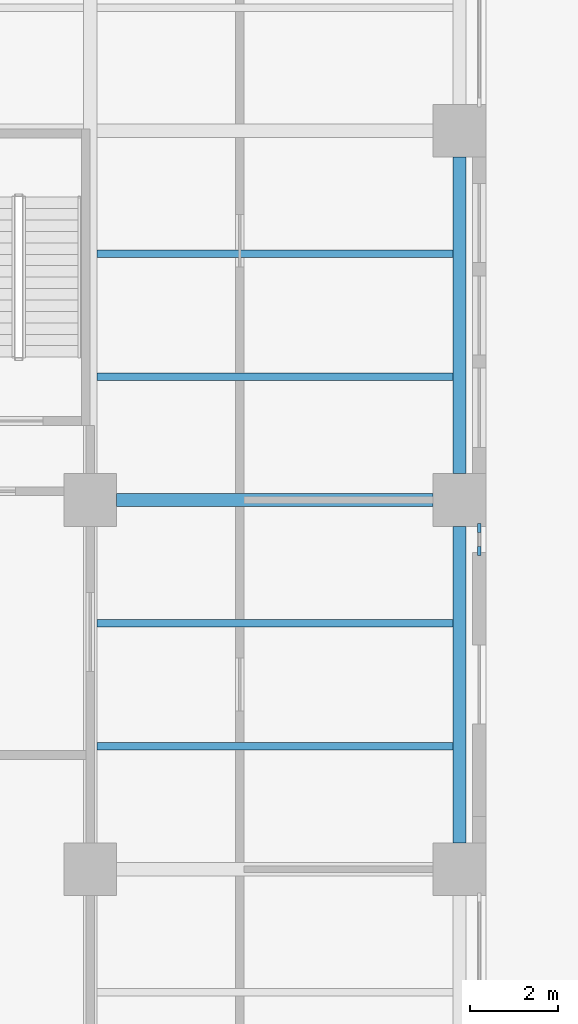
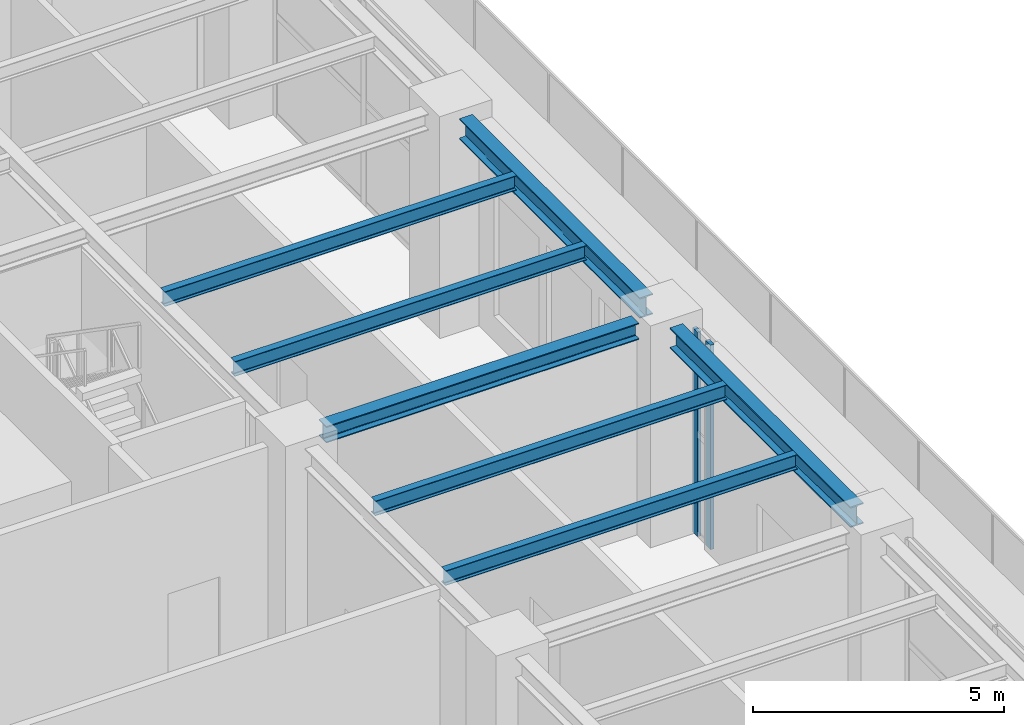
# One storey, part 8 of 36: 7 beams, 2 members, 1 element without a shape of its own.
"""IFC4 building model written with IfcOpenShell, lengths in metres."""

from ifc_helpers import new_model, si_unit, direction, frame, origin, origin_2d, place, context, subcontext, project, spatial, rectangle, i_section, extrude, material, material_profile, profile_set, type_object, element, aggregate, save


model = new_model("IFC4")

# Units and contexts
model_context = context("Model", 3, precision=1e-05, world=origin(), true_north=direction((0.0, 1.0)))
body_context = subcontext(model_context, "Body", "Model", "MODEL_VIEW")
ifc_project = project(units=[si_unit("LENGTHUNIT", "METRE"), si_unit("AREAUNIT", "SQUARE_METRE"), si_unit("VOLUMEUNIT", "CUBIC_METRE"), si_unit("PLANEANGLEUNIT", "RADIAN"), si_unit("MASSUNIT", "GRAM", prefix="KILO")], contexts=[model_context])

# Site, building, storey
site_placement = place(None, origin())
site = spatial("IfcSite", under=ifc_project, at=site_placement, CompositionType="ELEMENT")
building_placement = place(site_placement, origin())
building = spatial("IfcBuilding", under=site, at=building_placement, Name="Khepri Terraces", CompositionType="ELEMENT")
storey_placement = place(building_placement, frame((0.0, 0.0, 16.800048828125)))
storey = spatial("IfcBuildingStorey", under=building, at=storey_placement, Name="L03", CompositionType="ELEMENT", Elevation=16.800048828125)

# Curtain wall, members
ifc_material_1 = material(Name="Anodised aluminium bronze curtain wall", Category="aluminium")
curtain_wall_type = type_object("IfcCurtainWallType", Name="CW-SYS5-BALLROOM", PredefinedType="NOTDEFINED", material=ifc_material_1)
curtain_wall_placement = place(storey_placement, origin())
curtain_wall = element("IfcCurtainWall", 1, at=curtain_wall_placement, inside=storey, type_object=curtain_wall_type, Name="Curtain wall CW5 L03 E", PredefinedType="NOTDEFINED")
ifc_material_2 = material(Name="Anodised aluminium bronze", Category="aluminium")
ifc_material_profile_1 = material_profile(ifc_material_2, rectangle(XDim=0.080078125, YDim=0.199951171875, at=origin_2d()), Name="Anodised aluminium bronze", Category="aluminium")
ifc_profile_set_1 = profile_set([ifc_material_profile_1], Name="Anodised aluminium bronze")
member_type = type_object("IfcMemberType", Name="CW-MULLION-80x200", PredefinedType="MULLION", material=ifc_profile_set_1)
member_1_placement = place(storey_placement, frame((34.050048828125, 15.639892578125, 0.0), z_axis=(0.0, 0.0, 1.0), x_axis=(-1.0, 0.0, 0.0)))
member_1 = element("IfcMember", 2, at=member_1_placement, type_object=member_type, Name="CW5 mullion 1", PredefinedType="MULLION", context=body_context, shape_type="SweptSolid", body=[
    extrude(rectangle(XDim=0.080078125, YDim=0.199951171875, at=origin_2d()), origin(), (0.0, 0.0, 1.0), 4.97998046875),
])
member_2_placement = place(storey_placement, frame((34.050048828125, 16.159912109375, 0.0), z_axis=(0.0, 0.0, 1.0), x_axis=(-1.0, 0.0, 0.0)))
member_2 = element("IfcMember", 3, at=member_2_placement, type_object=member_type, Name="CW5 mullion 2", PredefinedType="MULLION", context=body_context, shape_type="SweptSolid", body=[
    extrude(rectangle(XDim=0.080078125, YDim=0.199951171875, at=origin_2d()), origin(), (0.0, 0.0, 1.0), 4.97998046875),
])
aggregate(curtain_wall, [member_1, member_2])

# Beams
ifc_material_3 = material(Name="Steel S355", Category="steel")
ifc_material_profile_2 = material_profile(ifc_material_3, i_section(OverallWidth=0.300048828125, OverallDepth=0.5, WebThickness=0.014404296875, FlangeThickness=0.028076171875, FilletRadius=0.027099609375, at=origin_2d()), Name="Steel S355", Category="steel")
ifc_profile_set_2 = profile_set([ifc_material_profile_2], Name="Steel S355")
beam_type_1 = type_object("IfcBeamType", Name="Podium girder L04 HEB 500", PredefinedType="BEAM", material=ifc_profile_set_2)
beam_1_placement = place(storey_placement, frame((33.60009765625, 9.0, 4.949951171875), z_axis=(0.0, 1.0, 0.0), x_axis=(-1.0, 0.0, 0.0)))
element("IfcBeam", 4, at=beam_1_placement, inside=storey, type_object=beam_type_1, Name="Podium girder L04 036", PredefinedType="BEAM", context=body_context, shape_type="SweptSolid", body=[
    extrude(i_section(OverallWidth=0.300048828125, OverallDepth=0.5, WebThickness=0.014404296875, FlangeThickness=0.028076171875, FilletRadius=0.027099609375, at=origin_2d()), origin(), (0.0, 0.0, 1.0), 7.199951171875),
])
beam_2_placement = place(storey_placement, frame((33.60009765625, 17.39990234375, 4.949951171875), z_axis=(0.0, 1.0, 0.0), x_axis=(-1.0, 0.0, 0.0)))
element("IfcBeam", 5, at=beam_2_placement, inside=storey, type_object=beam_type_1, Name="Podium girder L04 037", PredefinedType="BEAM", context=body_context, shape_type="SweptSolid", body=[
    extrude(i_section(OverallWidth=0.300048828125, OverallDepth=0.5, WebThickness=0.014404296875, FlangeThickness=0.028076171875, FilletRadius=0.027099609375, at=origin_2d()), origin(), (0.0, 0.0, 1.0), 7.2001953125),
])
ifc_material_profile_3 = material_profile(ifc_material_3, i_section(OverallWidth=0.300048828125, OverallDepth=0.39990234375, WebThickness=0.013427734375, FlangeThickness=0.02392578125, FilletRadius=0.027099609375, at=origin_2d()), Name="Steel S355", Category="steel")
ifc_profile_set_3 = profile_set([ifc_material_profile_3], Name="Steel S355")
beam_type_2 = type_object("IfcBeamType", Name="Podium girder L04 grid line HEB 400", PredefinedType="BEAM", material=ifc_profile_set_3)
beam_3_placement = place(storey_placement, frame((25.800048828125, 16.800048828125, 5.0), z_axis=(1.0, 0.0, 0.0), x_axis=(0.0, 1.0, 0.0)))
element("IfcBeam", 6, at=beam_3_placement, inside=storey, type_object=beam_type_2, Name="Podium grid-line girder L04 060", PredefinedType="BEAM", context=body_context, shape_type="SweptSolid", body=[
    extrude(i_section(OverallWidth=0.300048828125, OverallDepth=0.39990234375, WebThickness=0.013427734375, FlangeThickness=0.02392578125, FilletRadius=0.027099609375, at=origin_2d()), origin(), (0.0, 0.0, 1.0), 7.199951171875),
])
ifc_material_profile_4 = material_profile(ifc_material_3, i_section(OverallWidth=0.169921875, OverallDepth=0.360107421875, WebThickness=0.008056640625, FlangeThickness=0.0126953125, FilletRadius=0.01806640625, at=origin_2d()), Name="Steel S355", Category="steel")
ifc_profile_set_4 = profile_set([ifc_material_profile_4], Name="Steel S355")
beam_type_3 = type_object("IfcBeamType", Name="Podium joist L04 IPE 360", PredefinedType="JOIST", material=ifc_profile_set_4)
for number, where, z_axis, x_axis, name in (
    (7, (25.35009765625, 11.199951171875, 5.02001953125), (1.0, 0.0, 0.0), (0.0, 1.0, 0.0), "Podium joist L04 056"),
    (8, (25.35009765625, 14.0, 5.02001953125), (1.0, 0.0, 0.0), (0.0, 1.0, 0.0), "Podium joist L04 058"),
    (9, (25.35009765625, 19.60009765625, 5.02001953125), (1.0, 0.0, 0.0), (0.0, 1.0, 0.0), "Podium joist L04 062"),
    (10, (25.35009765625, 22.39990234375, 5.02001953125), (1.0, 0.0, 0.0), (0.0, 1.0, 0.0), "Podium joist L04 064"),
):
    element("IfcBeam", number, at=place(storey_placement, frame(where, z_axis=z_axis, x_axis=x_axis)), inside=storey, type_object=beam_type_3, Name=name, PredefinedType="JOIST", context=body_context, shape_type="SweptSolid", body=[
        extrude(i_section(OverallWidth=0.169921875, OverallDepth=0.360107421875, WebThickness=0.008056640625, FlangeThickness=0.0126953125, FilletRadius=0.01806640625, at=origin_2d()), origin(), (0.0, 0.0, 1.0), 8.099853515625),
    ])

save(model, "model.ifc")
